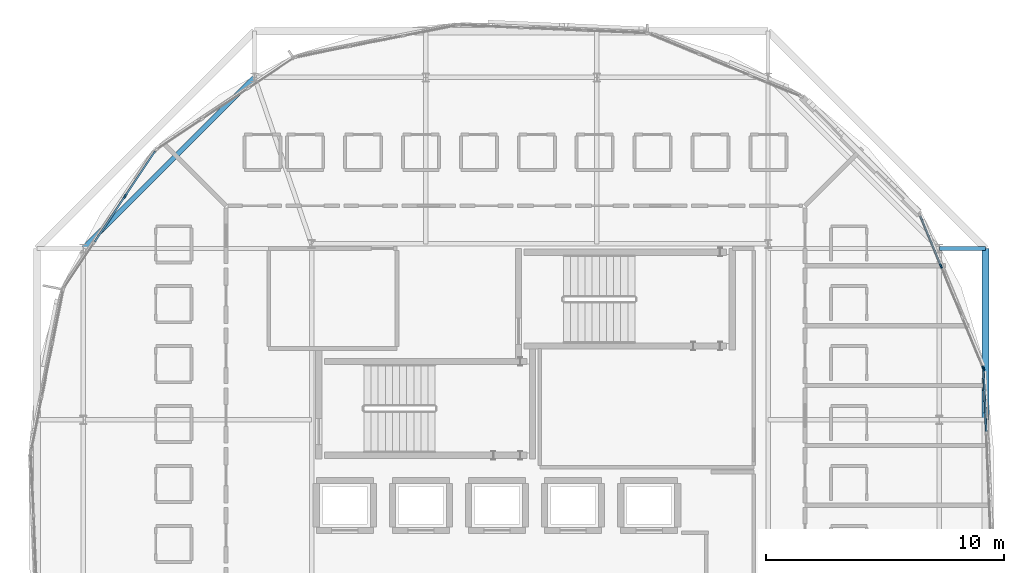
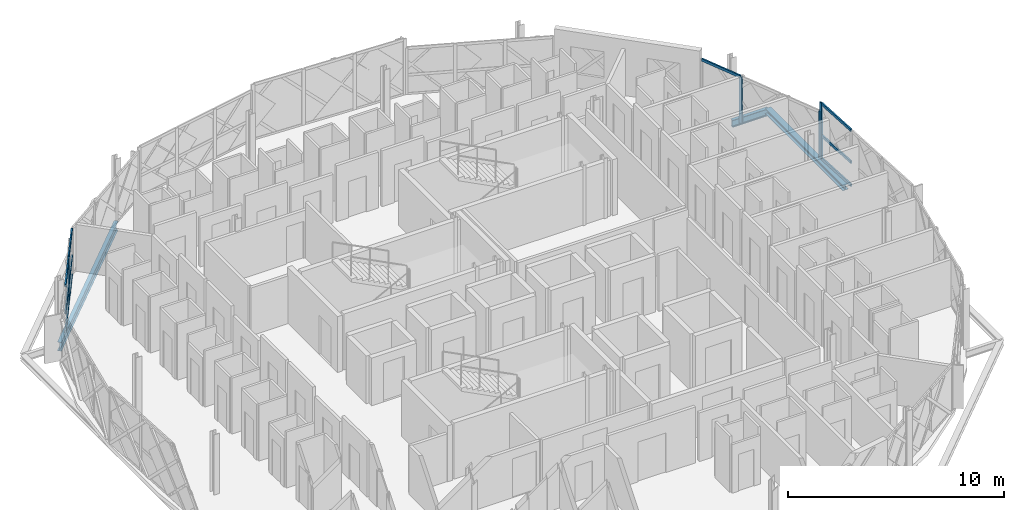
# One storey, part 8 of 24: 14 members, 3 beams, 3 elements without a shape of their own.
"""IFC4 building model written with IfcOpenShell, lengths in metres."""

from ifc_helpers import new_model, si_unit, direction, frame, origin, origin_2d, place, context, subcontext, project, spatial, rectangle, i_section, extrude, material, layer, layer_set, material_profile, profile_set, type_object, element, aggregate, save


model = new_model("IFC4")

# Units and contexts
model_context = context("Model", 3, precision=1e-05, world=origin(), true_north=direction((0.0, 1.0)))
body_context = subcontext(model_context, "Body", "Model", "MODEL_VIEW")
ifc_project = project(units=[si_unit("LENGTHUNIT", "METRE"), si_unit("AREAUNIT", "SQUARE_METRE"), si_unit("VOLUMEUNIT", "CUBIC_METRE"), si_unit("PLANEANGLEUNIT", "RADIAN"), si_unit("MASSUNIT", "GRAM", prefix="KILO")], contexts=[model_context])

# Site, building, storey
site_placement = place(None, origin())
site = spatial("IfcSite", under=ifc_project, at=site_placement, CompositionType="ELEMENT")
building_placement = place(site_placement, origin())
building = spatial("IfcBuilding", under=site, at=building_placement, Name="Zevrakil Square Congress Hotel", CompositionType="ELEMENT")
storey_placement = place(building_placement, frame((0.0, 0.0, 35.10009765625)))
storey = spatial("IfcBuildingStorey", under=building, at=storey_placement, Name="L10", CompositionType="ELEMENT", Elevation=35.10009765625)

# Beam
ifc_material_1 = material(Name="Steel S355", Category="steel")
ifc_material_profile_1 = material_profile(ifc_material_1, i_section(OverallWidth=0.199951171875, OverallDepth=0.5, WebThickness=0.01025390625, FlangeThickness=0.01611328125, FilletRadius=0.02099609375, at=origin_2d()), Name="IPE 500")
ifc_profile_set_1 = profile_set([ifc_material_profile_1], Name="Steel S355")
beam_type_1 = type_object("IfcBeamType", Name="BM-IPE500", PredefinedType="BEAM", material=ifc_profile_set_1)
beam_1_placement = place(storey_placement, frame((134.39990234375, 45.60009765625, -0.47998046875), z_axis=(-0.70709479277, -0.7071187694, 0.0), x_axis=(0.7071187694, -0.70709479277, 0.0)))
element("IfcBeam", 1, at=beam_1_placement, inside=storey, type_object=beam_type_1, Name="L10 drum ring girder DRB-12", PredefinedType="BEAM", context=body_context, shape_type="SweptSolid", body=[
    extrude(i_section(OverallWidth=0.199951171875, OverallDepth=0.5, WebThickness=0.01025390625, FlangeThickness=0.01611328125, FilletRadius=0.02099609375, at=origin_2d()), origin(), (0.0, 0.0, 1.0), 10.182373046875),
])

# Curtain wall, members
ifc_material_2 = material(Name="Aluminium Anodised Bronze", Category="aluminium")
ifc_layer_1 = layer(ifc_material_2, 0.179931640625)
ifc_layer_set_1 = layer_set([ifc_layer_1], Name="Aluminium Anodised Bronze")
curtain_wall_type_1 = type_object("IfcCurtainWallType", Name="CW-L10-840", PredefinedType="USERDEFINED", material=ifc_layer_set_1)
curtain_wall_1_placement = place(storey_placement, origin())
curtain_wall_1 = element("IfcCurtainWall", 2, at=curtain_wall_1_placement, inside=storey, type_object=curtain_wall_type_1, Name="L10 diamond curtain wall CW-L10-0274", ObjectType="GLAZED CURTAIN WALL", PredefinedType="USERDEFINED")
ifc_material_3 = material(Name="Aluminium Anodised Bronze", Category="aluminium")
ifc_material_profile_2 = material_profile(ifc_material_3, rectangle(XDim=0.074951171875, YDim=0.14990234375, at=origin_2d()), Name="ALU 75x150")
ifc_profile_set_2 = profile_set([ifc_material_profile_2], Name="Aluminium Anodised Bronze")
member_type_1 = type_object("IfcMemberType", Name="CWM-ALU75x150", PredefinedType="USERDEFINED", material=ifc_profile_set_2)
member_1_placement = place(storey_placement, frame((165.170654296875, 30.714111328125, 0.02978515625), z_axis=(-0.043087908492, 0.999071284815, 0.0), x_axis=(-0.999071284815, -0.043087908492, 0.0)))
member_1 = element("IfcMember", 3, at=member_1_placement, type_object=member_type_1, Name="CW-119 transom 3.1", ObjectType="TRANSOM", PredefinedType="USERDEFINED", context=body_context, shape_type="SweptSolid", body=[
    extrude(rectangle(XDim=0.074951171875, YDim=0.14990234375, at=origin_2d()), origin(), (0.0, 0.0, 1.0), 2.578125),
])
member_2_placement = place(storey_placement, frame((165.170654296875, 30.714111328125, 1.3291015625), z_axis=(-0.043087908492, 0.999071284815, 0.0), x_axis=(-0.999071284815, -0.043087908492, 0.0)))
member_2 = element("IfcMember", 4, at=member_2_placement, type_object=member_type_1, Name="CW-119 transom 3.2", ObjectType="TRANSOM", PredefinedType="USERDEFINED", context=body_context, shape_type="SweptSolid", body=[
    extrude(rectangle(XDim=0.074951171875, YDim=0.14990234375, at=origin_2d()), origin(), (0.0, 0.0, 1.0), 2.578125),
])
member_3_placement = place(storey_placement, frame((165.170654296875, 30.714111328125, 3.135009765625), z_axis=(-0.043087908492, 0.999071284815, 0.0), x_axis=(-0.999071284815, -0.043087908492, 0.0)))
member_3 = element("IfcMember", 5, at=member_3_placement, type_object=member_type_1, Name="CW-119 transom 3.3", ObjectType="TRANSOM", PredefinedType="USERDEFINED", context=body_context, shape_type="SweptSolid", body=[
    extrude(rectangle(XDim=0.074951171875, YDim=0.14990234375, at=origin_2d()), origin(), (0.0, 0.0, 1.0), 2.578125),
])

# Curtain wall, member
ifc_material_4 = material(Name="Aluminium Anodised Bronze", Category="aluminium")
ifc_layer_2 = layer(ifc_material_4, 0.179931640625)
ifc_layer_set_2 = layer_set([ifc_layer_2], Name="Aluminium Anodised Bronze")
curtain_wall_type_2 = type_object("IfcCurtainWallType", Name="CW-L10-720", PredefinedType="USERDEFINED", material=ifc_layer_set_2)
curtain_wall_2_placement = place(storey_placement, origin())
curtain_wall_2 = element("IfcCurtainWall", 6, at=curtain_wall_2_placement, inside=storey, type_object=curtain_wall_type_2, Name="L10 diamond curtain wall CW-L10-0275", ObjectType="GLAZED CURTAIN WALL", PredefinedType="USERDEFINED")
member_4_placement = place(storey_placement, frame((163.25830078125, 37.692626953125, 2.619873046875), z_axis=(-0.382761541363, 0.923847174836, 0.0), x_axis=(-0.923847174836, -0.382761541363, 0.0)))
member_4 = element("IfcMember", 7, at=member_4_placement, type_object=member_type_1, Name="CW-118 transom 3.2", ObjectType="TRANSOM", PredefinedType="USERDEFINED", context=body_context, shape_type="SweptSolid", body=[
    extrude(rectangle(XDim=0.074951171875, YDim=0.14990234375, at=origin_2d()), origin(), (0.0, 0.0, 1.0), 2.2451171875),
])

# Curtain wall, members
curtain_wall_3_placement = place(storey_placement, origin())
curtain_wall_3 = element("IfcCurtainWall", 8, at=curtain_wall_3_placement, inside=storey, type_object=curtain_wall_type_2, Name="L10 diamond curtain wall CW-L10-0280", ObjectType="GLAZED CURTAIN WALL", PredefinedType="USERDEFINED")
member_5_placement = place(storey_placement, frame((130.2236328125, 42.4931640625, 0.02978515625), z_axis=(-0.555653384358, -0.83141404634, 0.0), x_axis=(0.83141404634, -0.555653384358, 0.0)))
member_5 = element("IfcMember", 9, at=member_5_placement, type_object=member_type_1, Name="CW-118 transom 1.1", ObjectType="TRANSOM", PredefinedType="USERDEFINED", context=body_context, shape_type="SweptSolid", body=[
    extrude(rectangle(XDim=0.074951171875, YDim=0.14990234375, at=origin_2d()), origin(), (0.0, 0.0, 1.0), 2.2451171875),
])
member_6_placement = place(storey_placement, frame((130.2236328125, 42.4931640625, 1.11279296875), z_axis=(-0.555653384358, -0.83141404634, 0.0), x_axis=(0.83141404634, -0.555653384358, 0.0)))
member_6 = element("IfcMember", 10, at=member_6_placement, type_object=member_type_1, Name="CW-118 transom 1.2", ObjectType="TRANSOM", PredefinedType="USERDEFINED", context=body_context, shape_type="SweptSolid", body=[
    extrude(rectangle(XDim=0.074951171875, YDim=0.14990234375, at=origin_2d()), origin(), (0.0, 0.0, 1.0), 2.2451171875),
])
member_7_placement = place(storey_placement, frame((130.2236328125, 42.4931640625, 2.619873046875), z_axis=(-0.555653384358, -0.83141404634, 0.0), x_axis=(0.83141404634, -0.555653384358, 0.0)))
member_7 = element("IfcMember", 11, at=member_7_placement, type_object=member_type_1, Name="CW-118 transom 1.3", ObjectType="TRANSOM", PredefinedType="USERDEFINED", context=body_context, shape_type="SweptSolid", body=[
    extrude(rectangle(XDim=0.074951171875, YDim=0.14990234375, at=origin_2d()), origin(), (0.0, 0.0, 1.0), 2.2451171875),
])
member_8_placement = place(storey_placement, frame((128.94287109375, 40.576416015625, 0.02978515625), z_axis=(-0.55564085014, -0.831422423114, 0.0), x_axis=(0.831422423114, -0.55564085014, 0.0)))
member_8 = element("IfcMember", 12, at=member_8_placement, type_object=member_type_1, Name="CW-118 transom 2.1", ObjectType="TRANSOM", PredefinedType="USERDEFINED", context=body_context, shape_type="SweptSolid", body=[
    extrude(rectangle(XDim=0.074951171875, YDim=0.14990234375, at=origin_2d()), origin(), (0.0, 0.0, 1.0), 2.275146484375),
])
member_9_placement = place(storey_placement, frame((128.94287109375, 40.576416015625, 1.11279296875), z_axis=(-0.55564085014, -0.831422423114, 0.0), x_axis=(0.831422423114, -0.55564085014, 0.0)))
member_9 = element("IfcMember", 13, at=member_9_placement, type_object=member_type_1, Name="CW-118 transom 2.2", ObjectType="TRANSOM", PredefinedType="USERDEFINED", context=body_context, shape_type="SweptSolid", body=[
    extrude(rectangle(XDim=0.074951171875, YDim=0.14990234375, at=origin_2d()), origin(), (0.0, 0.0, 1.0), 2.275146484375),
])
member_10_placement = place(storey_placement, frame((128.94287109375, 40.576416015625, 2.619873046875), z_axis=(-0.55564085014, -0.831422423114, 0.0), x_axis=(0.831422423114, -0.55564085014, 0.0)))
member_10 = element("IfcMember", 14, at=member_10_placement, type_object=member_type_1, Name="CW-118 transom 2.3", ObjectType="TRANSOM", PredefinedType="USERDEFINED", context=body_context, shape_type="SweptSolid", body=[
    extrude(rectangle(XDim=0.074951171875, YDim=0.14990234375, at=origin_2d()), origin(), (0.0, 0.0, 1.0), 2.275146484375),
])

# Member
ifc_material_5 = material(Name="Aluminium Anodised Bronze", Category="aluminium")
ifc_material_profile_3 = material_profile(ifc_material_5, rectangle(XDim=0.074951171875, YDim=0.179931640625, at=origin_2d()), Name="ALU 75x180")
ifc_profile_set_3 = profile_set([ifc_material_profile_3], Name="Aluminium Anodised Bronze")
member_type_2 = type_object("IfcMemberType", Name="CWM-ALU75x180", PredefinedType="MULLION", material=ifc_profile_set_3)
member_11_placement = place(storey_placement, frame((165.058349609375, 33.31982421875, 0.0), z_axis=(0.0, 0.0, 1.0), x_axis=(-0.999070669923, -0.043102163504, 0.0)))
member_11 = element("IfcMember", 15, at=member_11_placement, type_object=member_type_2, Name="CW-119 mullion 4", PredefinedType="MULLION", context=body_context, shape_type="SweptSolid", body=[
    extrude(rectangle(XDim=0.074951171875, YDim=0.179931640625, at=origin_2d()), origin(), (0.0, 0.0, 1.0), 3.164794921875),
])

aggregate(curtain_wall_1, [member_11, member_1, member_2, member_3])

member_12_placement = place(storey_placement, frame((165.04541015625, 33.37744140625, 0.0), z_axis=(0.0, 0.0, 1.0), x_axis=(-0.92387939537, -0.382683763454, 0.0)))
member_12 = element("IfcMember", 16, at=member_12_placement, type_object=member_type_2, Name="CW-118 mullion 1", PredefinedType="MULLION", context=body_context, shape_type="SweptSolid", body=[
    extrude(rectangle(XDim=0.074951171875, YDim=0.179931640625, at=origin_2d()), origin(), (0.0, 0.0, 1.0), 2.64990234375),
])

member_13_placement = place(storey_placement, frame((163.269775390625, 37.664794921875, 0.0), z_axis=(0.0, 0.0, 1.0), x_axis=(-0.92387939537, -0.382683763454, 0.0)))
member_13 = element("IfcMember", 17, at=member_13_placement, type_object=member_type_2, Name="CW-118 mullion 3", PredefinedType="MULLION", context=body_context, shape_type="SweptSolid", body=[
    extrude(rectangle(XDim=0.074951171875, YDim=0.179931640625, at=origin_2d()), origin(), (0.0, 0.0, 1.0), 2.64990234375),
])

aggregate(curtain_wall_2, [member_12, member_13, member_4])

member_14_placement = place(storey_placement, frame((128.95947265625, 40.601318359375, 0.0), z_axis=(0.0, 0.0, 1.0), x_axis=(0.831465693332, -0.555576098128, 0.0)))
member_14 = element("IfcMember", 18, at=member_14_placement, type_object=member_type_2, Name="CW-118 mullion 2", PredefinedType="MULLION", context=body_context, shape_type="SweptSolid", body=[
    extrude(rectangle(XDim=0.074951171875, YDim=0.179931640625, at=origin_2d()), origin(), (0.0, 0.0, 1.0), 2.64990234375),
])

aggregate(curtain_wall_3, [member_14, member_5, member_6, member_7, member_8, member_9, member_10])

# Beams
ifc_material_6 = material(Name="Steel S355", Category="steel")
ifc_material_profile_4 = material_profile(ifc_material_6, i_section(OverallWidth=0.179931640625, OverallDepth=0.39990234375, WebThickness=0.008544921875, FlangeThickness=0.013427734375, FilletRadius=0.02099609375, at=origin_2d()), Name="IPE 400")
ifc_profile_set_4 = profile_set([ifc_material_profile_4], Name="Steel S355")
beam_type_2 = type_object("IfcBeamType", Name="JST-IPE400", PredefinedType="JOIST", material=ifc_profile_set_4)
beam_2_placement = place(storey_placement, frame((163.199951171875, 38.39990234375, -0.43017578125), z_axis=(1.0, 0.0, 0.0), x_axis=(0.0, 1.0, 0.0)))
element("IfcBeam", 19, at=beam_2_placement, inside=storey, type_object=beam_type_2, Name="L10 drum radial edge cantilever beam DRO-08", PredefinedType="JOIST", context=body_context, shape_type="SweptSolid", body=[
    extrude(i_section(OverallWidth=0.179931640625, OverallDepth=0.39990234375, WebThickness=0.008544921875, FlangeThickness=0.013427734375, FilletRadius=0.02099609375, at=origin_2d()), origin(), (0.0, 0.0, 1.0), 1.942138671875),
])
ifc_material_7 = material(Name="Steel S355", Category="steel")
ifc_material_profile_5 = material_profile(ifc_material_7, i_section(OverallWidth=0.300048828125, OverallDepth=0.300048828125, WebThickness=0.010986328125, FlangeThickness=0.01904296875, FilletRadius=0.027099609375, at=origin_2d()), Name="HEB 300")
ifc_profile_set_5 = profile_set([ifc_material_profile_5], Name="Steel S355")
beam_type_3 = type_object("IfcBeamType", Name="SPD-RHS250", PredefinedType="SPANDREL", material=ifc_profile_set_5)
beam_3_placement = place(storey_placement, frame((165.14208984375, 31.199951171875, -0.380126953125), z_axis=(0.0, 1.0, 0.0), x_axis=(-1.0, 0.0, 0.0)))
element("IfcBeam", 20, at=beam_3_placement, inside=storey, type_object=beam_type_3, Name="L10 drum edge spandrel beam DSP-06", PredefinedType="SPANDREL", context=body_context, shape_type="SweptSolid", body=[
    extrude(i_section(OverallWidth=0.300048828125, OverallDepth=0.300048828125, WebThickness=0.010986328125, FlangeThickness=0.01904296875, FilletRadius=0.027099609375, at=origin_2d()), origin(), (0.0, 0.0, 1.0), 7.199951171875),
])

save(model, "model.ifc")
